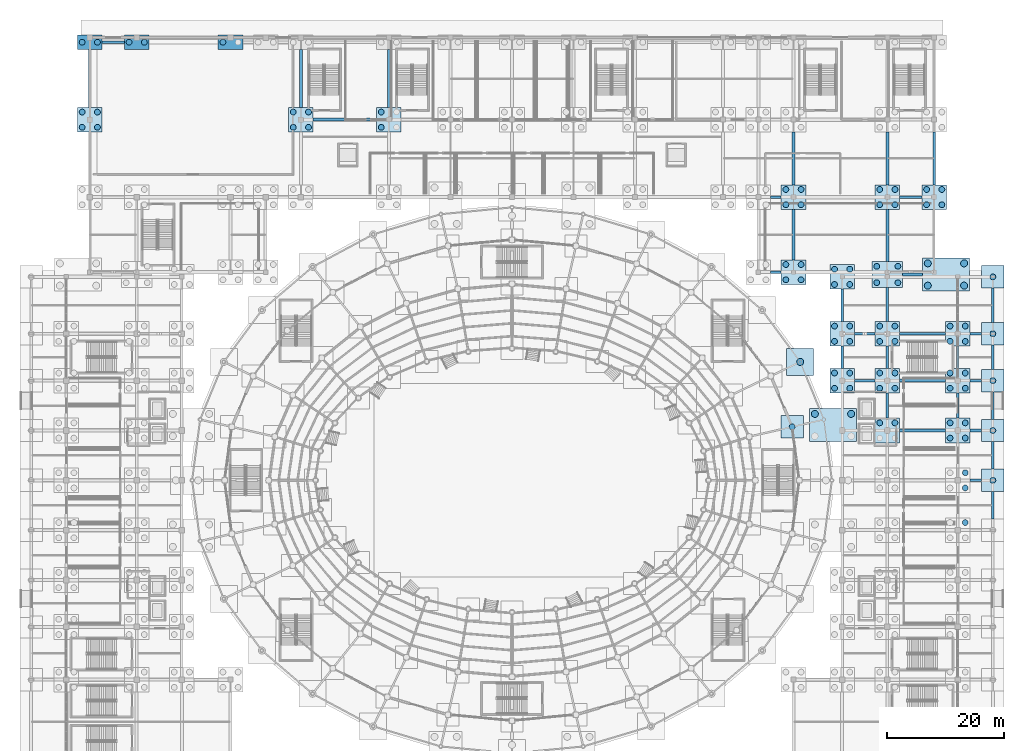
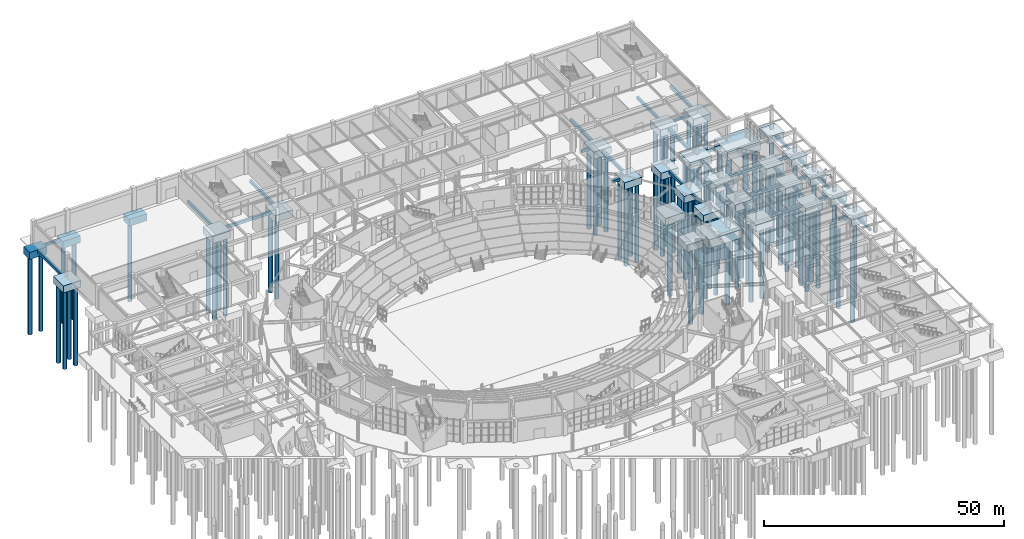
# One storey, part 7 of 121: 85 piles, 64 footings.
"""IFC4 building model written with IfcOpenShell, lengths in metres."""

from ifc_helpers import new_model, si_unit, direction, frame, origin, origin_2d, place, context, subcontext, project, spatial, rectangle, circle, extrude, material, material_profile, profile_set, type_object, element, save


model = new_model("IFC4")

# Units and contexts
model_context = context("Model", 3, precision=1e-05, world=origin(), true_north=direction((0.0, 1.0)))
body_context = subcontext(model_context, "Body", "Model", "MODEL_VIEW")
ifc_project = project(units=[si_unit("LENGTHUNIT", "METRE"), si_unit("AREAUNIT", "SQUARE_METRE"), si_unit("VOLUMEUNIT", "CUBIC_METRE"), si_unit("PLANEANGLEUNIT", "RADIAN"), si_unit("MASSUNIT", "GRAM", prefix="KILO")], contexts=[model_context])

# Site, building, storey
site_placement = place(None, origin())
site = spatial("IfcSite", under=ifc_project, at=site_placement, CompositionType="ELEMENT")
building_placement = place(site_placement, origin())
building = spatial("IfcBuilding", under=site, at=building_placement, Name="Cuetzalor Civic Arena", CompositionType="ELEMENT")
storey_placement = place(building_placement, origin())
storey = spatial("IfcBuildingStorey", under=building, at=storey_placement, Name="L00", CompositionType="ELEMENT", Elevation=0.0)

# Piles
ifc_material_1 = material(Name="Concrete C40/50", Category="concrete")
ifc_material_profile_1 = material_profile(ifc_material_1, circle(Radius=0.5, at=origin_2d()), Name="BORED PILE D1000")
ifc_profile_set_1 = profile_set([ifc_material_profile_1], Name="Concrete C40/50")
pile_type_1 = type_object("IfcPileType", Name="BoredPile_D1000", PredefinedType="BORED", material=ifc_profile_set_1)
for number, where, z_axis, x_axis, name in (
    (1, (77.300048828125, -7.199951171875, -2.050048828125), (0.0, 0.0, -1.0), (1.0, 0.0, 0.0), "Bored Pile 0342"),
    (2, (77.300048828125, -1.300048828125, -2.050048828125), (0.0, 0.0, -1.0), (1.0, 0.0, 0.0), "Bored Pile 0373"),
    (3, (77.300048828125, 1.300048828125, -2.050048828125), (0.0, 0.0, -1.0), (1.0, 0.0, 0.0), "Bored Pile 0374"),
    (4, (82.0, 0.0, -2.050048828125), (0.0, 0.0, -1.0), (1.0, 0.0, 0.0), "Bored Pile 0375"),
    (5, (62.699951171875, 9.800048828125, -2.050048828125), (0.0, 0.0, -1.0), (1.0, 0.0, 0.0), "Bored Pile 0390"),
    (6, (65.300048828125, 9.800048828125, -2.050048828125), (0.0, 0.0, -1.0), (1.0, 0.0, 0.0), "Bored Pile 0392"),
    (7, (74.699951171875, 7.199951171875, -2.050048828125), (0.0, 0.0, -1.0), (1.0, 0.0, 0.0), "Bored Pile 0393"),
    (8, (74.699951171875, 9.800048828125, -2.050048828125), (0.0, 0.0, -1.0), (1.0, 0.0, 0.0), "Bored Pile 0394"),
    (9, (77.300048828125, 7.199951171875, -2.050048828125), (0.0, 0.0, -1.0), (1.0, 0.0, 0.0), "Bored Pile 0395"),
    (10, (77.300048828125, 9.800048828125, -2.050048828125), (0.0, 0.0, -1.0), (1.0, 0.0, 0.0), "Bored Pile 0396"),
    (11, (82.0, 8.5, -2.050048828125), (0.0, 0.0, -1.0), (1.0, 0.0, 0.0), "Bored Pile 0397"),
    (12, (47.771484375, 9.123291015625, -2.050048828125), (0.0, 0.0, -1.0), (1.0, 0.0, 0.0), "Bored Pile 0399"),
    (13, (55.0, 15.699951171875, -2.050048828125), (0.0, 0.0, -1.0), (1.0, 0.0, 0.0), "Bored Pile 0427"),
    (14, (55.0, 18.300048828125, -2.050048828125), (0.0, 0.0, -1.0), (1.0, 0.0, 0.0), "Bored Pile 0428"),
    (15, (57.60009765625, 15.699951171875, -2.050048828125), (0.0, 0.0, -1.0), (1.0, 0.0, 0.0), "Bored Pile 0429"),
    (16, (57.60009765625, 18.300048828125, -2.050048828125), (0.0, 0.0, -1.0), (1.0, 0.0, 0.0), "Bored Pile 0430"),
    (17, (62.699951171875, 15.699951171875, -2.050048828125), (0.0, 0.0, -1.0), (1.0, 0.0, 0.0), "Bored Pile 0431"),
    (18, (62.699951171875, 18.300048828125, -2.050048828125), (0.0, 0.0, -1.0), (1.0, 0.0, 0.0), "Bored Pile 0432"),
    (19, (65.300048828125, 15.699951171875, -2.050048828125), (0.0, 0.0, -1.0), (1.0, 0.0, 0.0), "Bored Pile 0433"),
    (20, (65.300048828125, 18.300048828125, -2.050048828125), (0.0, 0.0, -1.0), (1.0, 0.0, 0.0), "Bored Pile 0434"),
    (21, (74.699951171875, 15.699951171875, -2.050048828125), (0.0, 0.0, -1.0), (1.0, 0.0, 0.0), "Bored Pile 0435"),
    (22, (74.699951171875, 18.300048828125, -2.050048828125), (0.0, 0.0, -1.0), (1.0, 0.0, 0.0), "Bored Pile 0436"),
    (23, (77.300048828125, 15.699951171875, -2.050048828125), (0.0, 0.0, -1.0), (1.0, 0.0, 0.0), "Bored Pile 0437"),
    (24, (77.300048828125, 18.300048828125, -2.050048828125), (0.0, 0.0, -1.0), (1.0, 0.0, 0.0), "Bored Pile 0438"),
    (25, (82.0, 17.0, -2.050048828125), (0.0, 0.0, -1.0), (1.0, 0.0, 0.0), "Bored Pile 0439"),
    (26, (55.0, 23.699951171875, -2.050048828125), (0.0, 0.0, -1.0), (1.0, 0.0, 0.0), "Bored Pile 0466"),
    (27, (55.0, 26.300048828125, -2.050048828125), (0.0, 0.0, -1.0), (1.0, 0.0, 0.0), "Bored Pile 0467"),
    (28, (57.60009765625, 23.699951171875, -2.050048828125), (0.0, 0.0, -1.0), (1.0, 0.0, 0.0), "Bored Pile 0468"),
    (29, (57.60009765625, 26.300048828125, -2.050048828125), (0.0, 0.0, -1.0), (1.0, 0.0, 0.0), "Bored Pile 0469"),
    (30, (62.699951171875, 23.699951171875, -2.050048828125), (0.0, 0.0, -1.0), (1.0, 0.0, 0.0), "Bored Pile 0470"),
    (31, (62.699951171875, 26.300048828125, -2.050048828125), (0.0, 0.0, -1.0), (1.0, 0.0, 0.0), "Bored Pile 0471"),
    (32, (65.300048828125, 23.699951171875, -2.050048828125), (0.0, 0.0, -1.0), (1.0, 0.0, 0.0), "Bored Pile 0472"),
    (33, (65.300048828125, 26.300048828125, -2.050048828125), (0.0, 0.0, -1.0), (1.0, 0.0, 0.0), "Bored Pile 0473"),
    (34, (74.699951171875, 23.699951171875, -2.050048828125), (0.0, 0.0, -1.0), (1.0, 0.0, 0.0), "Bored Pile 0474"),
    (35, (74.699951171875, 26.300048828125, -2.050048828125), (0.0, 0.0, -1.0), (1.0, 0.0, 0.0), "Bored Pile 0475"),
    (36, (77.300048828125, 23.699951171875, -2.050048828125), (0.0, 0.0, -1.0), (1.0, 0.0, 0.0), "Bored Pile 0476"),
    (37, (77.300048828125, 26.300048828125, -2.050048828125), (0.0, 0.0, -1.0), (1.0, 0.0, 0.0), "Bored Pile 0477"),
    (38, (82.0, 25.0, -2.050048828125), (0.0, 0.0, -1.0), (1.0, 0.0, 0.0), "Bored Pile 0478"),
    (39, (55.0, 33.39990234375, -2.050048828125), (0.0, 0.0, -1.0), (1.0, 0.0, 0.0), "Bored Pile 0505"),
    (40, (55.0, 36.0, -2.050048828125), (0.0, 0.0, -1.0), (1.0, 0.0, 0.0), "Bored Pile 0506"),
    (41, (57.60009765625, 33.39990234375, -2.050048828125), (0.0, 0.0, -1.0), (1.0, 0.0, 0.0), "Bored Pile 0507"),
    (42, (57.60009765625, 36.0, -2.050048828125), (0.0, 0.0, -1.0), (1.0, 0.0, 0.0), "Bored Pile 0508"),
):
    element("IfcPile", number, at=place(storey_placement, frame(where, z_axis=z_axis, x_axis=x_axis)), inside=storey, type_object=pile_type_1, Name=name, PredefinedType="BORED", context=body_context, shape_type="SweptSolid", body=[
        extrude(circle(Radius=0.5, at=origin_2d()), origin(), (0.0, 0.0, 1.0), 19.949951171875),
    ])
for number, where, z_axis, x_axis, name in (
    (43, (62.199951171875, 33.699951171875, -2.25), (0.0, 0.0, -1.0), (1.0, 0.0, 0.0), "Bored Pile 0509"),
    (44, (62.199951171875, 36.5, -2.25), (0.0, 0.0, -1.0), (1.0, 0.0, 0.0), "Bored Pile 0510"),
    (45, (65.800048828125, 33.699951171875, -2.25), (0.0, 0.0, -1.0), (1.0, 0.0, 0.0), "Bored Pile 0511"),
    (46, (65.800048828125, 36.5, -2.25), (0.0, 0.0, -1.0), (1.0, 0.0, 0.0), "Bored Pile 0512"),
):
    element("IfcPile", number, at=place(storey_placement, frame(where, z_axis=z_axis, x_axis=x_axis)), inside=storey, type_object=pile_type_1, Name=name, PredefinedType="BORED", context=body_context, shape_type="SweptSolid", body=[
        extrude(circle(Radius=0.5, at=origin_2d()), origin(), (0.0, 0.0, 1.0), 19.75),
    ])
for number, where, z_axis, x_axis, name in (
    (47, (82.0, 34.699951171875, -2.050048828125), (0.0, 0.0, -1.0), (1.0, 0.0, 0.0), "Bored Pile 0517"),
    (48, (46.699951171875, 34.199951171875, -2.050048828125), (0.0, 0.0, -1.0), (1.0, 0.0, 0.0), "Bored Pile 0530"),
    (49, (46.699951171875, 36.800048828125, -2.050048828125), (0.0, 0.0, -1.0), (1.0, 0.0, 0.0), "Bored Pile 0531"),
    (50, (49.300048828125, 34.199951171875, -2.050048828125), (0.0, 0.0, -1.0), (1.0, 0.0, 0.0), "Bored Pile 0532"),
    (51, (49.300048828125, 36.800048828125, -2.050048828125), (0.0, 0.0, -1.0), (1.0, 0.0, 0.0), "Bored Pile 0533"),
    (52, (46.699951171875, 47.0, -2.050048828125), (0.0, 0.0, -1.0), (1.0, 0.0, 0.0), "Bored Pile 0589"),
    (53, (46.699951171875, 49.60009765625, -2.050048828125), (0.0, 0.0, -1.0), (1.0, 0.0, 0.0), "Bored Pile 0590"),
    (54, (49.300048828125, 47.0, -2.050048828125), (0.0, 0.0, -1.0), (1.0, 0.0, 0.0), "Bored Pile 0591"),
    (55, (49.300048828125, 49.60009765625, -2.050048828125), (0.0, 0.0, -1.0), (1.0, 0.0, 0.0), "Bored Pile 0592"),
    (56, (62.699951171875, 47.0, -2.050048828125), (0.0, 0.0, -1.0), (1.0, 0.0, 0.0), "Bored Pile 0593"),
    (57, (62.699951171875, 49.60009765625, -2.050048828125), (0.0, 0.0, -1.0), (1.0, 0.0, 0.0), "Bored Pile 0594"),
    (58, (65.300048828125, 47.0, -2.050048828125), (0.0, 0.0, -1.0), (1.0, 0.0, 0.0), "Bored Pile 0595"),
    (59, (65.300048828125, 49.60009765625, -2.050048828125), (0.0, 0.0, -1.0), (1.0, 0.0, 0.0), "Bored Pile 0596"),
    (60, (70.699951171875, 47.0, -2.050048828125), (0.0, 0.0, -1.0), (1.0, 0.0, 0.0), "Bored Pile 0597"),
    (61, (70.699951171875, 49.60009765625, -2.050048828125), (0.0, 0.0, -1.0), (1.0, 0.0, 0.0), "Bored Pile 0598"),
    (62, (73.300048828125, 47.0, -2.050048828125), (0.0, 0.0, -1.0), (1.0, 0.0, 0.0), "Bored Pile 0599"),
    (63, (73.300048828125, 49.60009765625, -2.050048828125), (0.0, 0.0, -1.0), (1.0, 0.0, 0.0), "Bored Pile 0600"),
    (64, (-73.300048828125, 60.199951171875, -2.050048828125), (0.0, 0.0, -1.0), (1.0, 0.0, 0.0), "Bored Pile 0601"),
    (65, (-73.300048828125, 62.800048828125, -2.050048828125), (0.0, 0.0, -1.0), (1.0, 0.0, 0.0), "Bored Pile 0602"),
    (66, (-70.699951171875, 60.199951171875, -2.050048828125), (0.0, 0.0, -1.0), (1.0, 0.0, 0.0), "Bored Pile 0603"),
    (67, (-70.699951171875, 62.800048828125, -2.050048828125), (0.0, 0.0, -1.0), (1.0, 0.0, 0.0), "Bored Pile 0604"),
    (68, (-37.300048828125, 60.199951171875, -2.050048828125), (0.0, 0.0, -1.0), (1.0, 0.0, 0.0), "Bored Pile 0605"),
    (69, (-37.300048828125, 62.800048828125, -2.050048828125), (0.0, 0.0, -1.0), (1.0, 0.0, 0.0), "Bored Pile 0606"),
    (70, (-34.699951171875, 60.199951171875, -2.050048828125), (0.0, 0.0, -1.0), (1.0, 0.0, 0.0), "Bored Pile 0607"),
    (71, (-34.699951171875, 62.800048828125, -2.050048828125), (0.0, 0.0, -1.0), (1.0, 0.0, 0.0), "Bored Pile 0608"),
    (72, (-22.300048828125, 60.199951171875, -2.050048828125), (0.0, 0.0, -1.0), (1.0, 0.0, 0.0), "Bored Pile 0609"),
    (73, (-22.300048828125, 62.800048828125, -2.050048828125), (0.0, 0.0, -1.0), (1.0, 0.0, 0.0), "Bored Pile 0610"),
    (74, (-73.300048828125, 74.699951171875, -2.050048828125), (0.0, 0.0, -1.0), (1.0, 0.0, 0.0), "Bored Pile 0649"),
    (75, (-70.699951171875, 74.699951171875, -2.050048828125), (0.0, 0.0, -1.0), (1.0, 0.0, 0.0), "Bored Pile 0650"),
    (76, (-65.300048828125, 74.699951171875, -2.050048828125), (0.0, 0.0, -1.0), (1.0, 0.0, 0.0), "Bored Pile 0651"),
    (77, (-62.699951171875, 74.699951171875, -2.050048828125), (0.0, 0.0, -1.0), (1.0, 0.0, 0.0), "Bored Pile 0652"),
    (78, (-49.300048828125, 74.699951171875, -2.050048828125), (0.0, 0.0, -1.0), (1.0, 0.0, 0.0), "Bored Pile 0653"),
):
    element("IfcPile", number, at=place(storey_placement, frame(where, z_axis=z_axis, x_axis=x_axis)), inside=storey, type_object=pile_type_1, Name=name, PredefinedType="BORED", context=body_context, shape_type="SweptSolid", body=[
        extrude(circle(Radius=0.5, at=origin_2d()), origin(), (0.0, 0.0, 1.0), 19.949951171875),
    ])
ifc_material_2 = material(Name="Concrete C40/50", Category="concrete")
ifc_material_profile_2 = material_profile(ifc_material_2, circle(Radius=0.60009765625, at=origin_2d()), Name="BORED PILE D1200")
ifc_profile_set_2 = profile_set([ifc_material_profile_2], Name="Concrete C40/50")
pile_type_2 = type_object("IfcPileType", Name="BoredPile_D1200", PredefinedType="BORED", material=ifc_profile_set_2)
for number, where, z_axis, x_axis, name in (
    (79, (51.64111328125, 11.3291015625, -2.449951171875), (0.0, 0.0, -1.0), (1.0, 0.0, 0.0), "Bored Pile 0407"),
    (80, (57.841064453125, 11.3291015625, -2.449951171875), (0.0, 0.0, -1.0), (1.0, 0.0, 0.0), "Bored Pile 0409"),
):
    element("IfcPile", number, at=place(storey_placement, frame(where, z_axis=z_axis, x_axis=x_axis)), inside=storey, type_object=pile_type_2, Name=name, PredefinedType="BORED", context=body_context, shape_type="SweptSolid", body=[
        extrude(circle(Radius=0.60009765625, at=origin_2d()), origin(), (0.0, 0.0, 1.0), 19.550048828125),
    ])
pile_placement = place(storey_placement, frame((49.14794921875, 20.197265625, -2.050048828125), z_axis=(0.0, 0.0, -1.0), x_axis=(1.0, 0.0, 0.0)))
element("IfcPile", 81, at=pile_placement, inside=storey, type_object=pile_type_2, Name="Bored Pile 0445", PredefinedType="BORED", context=body_context, shape_type="SweptSolid", body=[
    extrude(circle(Radius=0.60009765625, at=origin_2d()), origin(), (0.0, 0.0, 1.0), 19.949951171875),
])
for number, where, z_axis, x_axis, name in (
    (82, (70.89990234375, 33.199951171875, -2.449951171875), (0.0, 0.0, -1.0), (1.0, 0.0, 0.0), "Bored Pile 0513"),
    (83, (70.89990234375, 37.0, -2.449951171875), (0.0, 0.0, -1.0), (1.0, 0.0, 0.0), "Bored Pile 0514"),
    (84, (77.10009765625, 33.199951171875, -2.449951171875), (0.0, 0.0, -1.0), (1.0, 0.0, 0.0), "Bored Pile 0515"),
    (85, (77.10009765625, 37.0, -2.449951171875), (0.0, 0.0, -1.0), (1.0, 0.0, 0.0), "Bored Pile 0516"),
):
    element("IfcPile", number, at=place(storey_placement, frame(where, z_axis=z_axis, x_axis=x_axis)), inside=storey, type_object=pile_type_2, Name=name, PredefinedType="BORED", context=body_context, shape_type="SweptSolid", body=[
        extrude(circle(Radius=0.60009765625, at=origin_2d()), origin(), (0.0, 0.0, 1.0), 19.550048828125),
    ])

# Footings
ifc_material_3 = material(Name="Concrete C40/50", Category="concrete")
footing_type_1 = type_object("IfcFootingType", Name="CombinedPileCap_A", PredefinedType="PILE_CAP", material=ifc_material_3)
for number, where, z_axis, x_axis, name in (
    (86, (64.0, 8.5, -2.14990234375), (0.0, 0.0, 1.0), (1.0, 0.0, 0.0), "Combined Pile Cap 158"),
    (87, (76.0, 8.5, -2.14990234375), (0.0, 0.0, 1.0), (1.0, 0.0, 0.0), "Combined Pile Cap 159"),
    (88, (56.300048828125, 17.0, -2.14990234375), (0.0, 0.0, 1.0), (1.0, 0.0, 0.0), "Combined Pile Cap 175"),
    (89, (64.0, 17.0, -2.14990234375), (0.0, 0.0, 1.0), (1.0, 0.0, 0.0), "Combined Pile Cap 176"),
    (90, (76.0, 17.0, -2.14990234375), (0.0, 0.0, 1.0), (1.0, 0.0, 0.0), "Combined Pile Cap 177"),
    (91, (56.300048828125, 25.0, -2.14990234375), (0.0, 0.0, 1.0), (1.0, 0.0, 0.0), "Combined Pile Cap 196"),
    (92, (64.0, 25.0, -2.14990234375), (0.0, 0.0, 1.0), (1.0, 0.0, 0.0), "Combined Pile Cap 197"),
    (93, (76.0, 25.0, -2.14990234375), (0.0, 0.0, 1.0), (1.0, 0.0, 0.0), "Combined Pile Cap 198"),
    (94, (56.300048828125, 34.699951171875, -2.14990234375), (0.0, 0.0, 1.0), (1.0, 0.0, 0.0), "Combined Pile Cap 217"),
    (95, (48.0, 35.5, -2.14990234375), (0.0, 0.0, 1.0), (1.0, 0.0, 0.0), "Combined Pile Cap 224"),
    (96, (48.0, 48.300048828125, -2.14990234375), (0.0, 0.0, 1.0), (1.0, 0.0, 0.0), "Combined Pile Cap 246"),
    (97, (64.0, 48.300048828125, -2.14990234375), (0.0, 0.0, 1.0), (1.0, 0.0, 0.0), "Combined Pile Cap 247"),
    (98, (72.0, 48.300048828125, -2.14990234375), (0.0, 0.0, 1.0), (1.0, 0.0, 0.0), "Combined Pile Cap 248"),
    (99, (-72.0, 61.5, -2.14990234375), (0.0, 0.0, 1.0), (1.0, 0.0, 0.0), "Combined Pile Cap 249"),
    (100, (-36.0, 61.5, -2.14990234375), (0.0, 0.0, 1.0), (1.0, 0.0, 0.0), "Combined Pile Cap 250"),
    (101, (-21.0, 61.5, -2.14990234375), (0.0, 0.0, 1.0), (1.0, 0.0, 0.0), "Combined Pile Cap 251"),
):
    element("IfcFooting", number, at=place(storey_placement, frame(where, z_axis=z_axis, x_axis=x_axis)), inside=storey, type_object=footing_type_1, Name=name, PredefinedType="PILE_CAP", context=body_context, shape_type="SweptSolid", body=[
        extrude(rectangle(XDim=4.199951171875, YDim=4.199951171875, at=origin_2d()), origin(), (0.0, 0.0, 1.0), 1.800048828125),
    ])
ifc_material_4 = material(Name="Concrete C40/50", Category="concrete")
footing_type_2 = type_object("IfcFootingType", Name="CombinedPileCap_B", PredefinedType="PILE_CAP", material=ifc_material_4)
footing_1_placement = place(storey_placement, frame((49.14794921875, 20.197265625, -2.14990234375), z_axis=(0.0, 0.0, 1.0), x_axis=(1.0, 0.0, 0.0)))
element("IfcFooting", 102, at=footing_1_placement, inside=storey, type_object=footing_type_2, Name="Combined Pile Cap 184", PredefinedType="PILE_CAP", context=body_context, shape_type="SweptSolid", body=[
    extrude(rectangle(XDim=4.60009765625, YDim=4.60009765625, at=origin_2d()), origin(), (0.0, 0.0, 1.0), 1.800048828125),
])
ifc_material_5 = material(Name="Concrete C40/50", Category="concrete")
footing_type_3 = type_object("IfcFootingType", Name="CombinedPileCap_C", PredefinedType="PILE_CAP", material=ifc_material_5)
footing_2_placement = place(storey_placement, frame((64.0, 35.10009765625, -2.35009765625), z_axis=(0.0, 0.0, 1.0), x_axis=(1.0, 0.0, 0.0)))
element("IfcFooting", 103, at=footing_2_placement, inside=storey, type_object=footing_type_3, Name="Combined Pile Cap 218", PredefinedType="PILE_CAP", context=body_context, shape_type="SweptSolid", body=[
    extrude(rectangle(XDim=5.199951171875, YDim=4.39990234375, at=origin_2d()), origin(), (0.0, 0.0, 1.0), 2.0),
])
ifc_material_6 = material(Name="Concrete C40/50", Category="concrete")
footing_type_4 = type_object("IfcFootingType", Name="CombinedPileCap_J", PredefinedType="PILE_CAP", material=ifc_material_6)
for number, where, z_axis, x_axis, name in (
    (104, (54.7412109375, 9.42919921875, -2.5498046875), (0.0, 0.0, 1.0), (1.0, 0.0, 0.0), "Combined Pile Cap 166"),
    (105, (74.0, 35.10009765625, -2.5498046875), (0.0, 0.0, 1.0), (1.0, 0.0, 0.0), "Combined Pile Cap 219"),
):
    element("IfcFooting", number, at=place(storey_placement, frame(where, z_axis=z_axis, x_axis=x_axis)), inside=storey, type_object=footing_type_4, Name=name, PredefinedType="PILE_CAP", context=body_context, shape_type="SweptSolid", body=[
        extrude(rectangle(XDim=8.0, YDim=5.60009765625, at=origin_2d()), origin(), (0.0, 0.0, 1.0), 2.199951171875),
    ])
ifc_material_7 = material(Name="Concrete C40/50", Category="concrete")
footing_type_5 = type_object("IfcFootingType", Name="CombinedPileCap_M", PredefinedType="PILE_CAP", material=ifc_material_7)
for number, where, z_axis, x_axis, name in (
    (106, (82.0, 0.0, -2.14990234375), (0.0, 0.0, 1.0), (1.0, 0.0, 0.0), "Combined Pile Cap 150"),
    (107, (82.0, 8.5, -2.14990234375), (0.0, 0.0, 1.0), (1.0, 0.0, 0.0), "Combined Pile Cap 160"),
    (108, (47.771484375, 9.123291015625, -2.14990234375), (0.0, 0.0, 1.0), (1.0, 0.0, 0.0), "Combined Pile Cap 162"),
    (109, (82.0, 17.0, -2.14990234375), (0.0, 0.0, 1.0), (1.0, 0.0, 0.0), "Combined Pile Cap 178"),
    (110, (82.0, 25.0, -2.14990234375), (0.0, 0.0, 1.0), (1.0, 0.0, 0.0), "Combined Pile Cap 199"),
    (111, (82.0, 34.699951171875, -2.14990234375), (0.0, 0.0, 1.0), (1.0, 0.0, 0.0), "Combined Pile Cap 220"),
):
    element("IfcFooting", number, at=place(storey_placement, frame(where, z_axis=z_axis, x_axis=x_axis)), inside=storey, type_object=footing_type_5, Name=name, PredefinedType="PILE_CAP", context=body_context, shape_type="SweptSolid", body=[
        extrude(rectangle(XDim=3.800048828125, YDim=3.800048828125, at=origin_2d()), origin(), (0.0, 0.0, 1.0), 1.800048828125),
    ])
ifc_material_8 = material(Name="Concrete C40/50", Category="concrete")
ifc_material_profile_3 = material_profile(ifc_material_8, rectangle(XDim=0.449951171875, YDim=0.64990234375, at=origin_2d()), Name="RC 450x650")
ifc_profile_set_3 = profile_set([ifc_material_profile_3], Name="Concrete C40/50")
footing_type_6 = type_object("IfcFootingType", Name="GroundTieBeam_450x650", PredefinedType="FOOTING_BEAM", material=ifc_profile_set_3)
footing_3_placement = place(storey_placement, frame((82.0, -6.60009765625, -0.675048828125), z_axis=(0.0, 1.0, 0.0), x_axis=(-1.0, 0.0, 0.0)))
element("IfcFooting", 112, at=footing_3_placement, inside=storey, type_object=footing_type_6, Name="Ground Tie Beam 144", PredefinedType="FOOTING_BEAM", context=body_context, shape_type="SweptSolid", body=[
    extrude(rectangle(XDim=0.449951171875, YDim=0.64990234375, at=origin_2d()), origin(), (0.0, 0.0, 1.0), 4.7001953125),
])
footing_4_placement = place(storey_placement, frame((78.10009765625, 0.0, -0.675048828125), z_axis=(1.0, 0.0, 0.0), x_axis=(0.0, 1.0, 0.0)))
element("IfcFooting", 113, at=footing_4_placement, inside=storey, type_object=footing_type_6, Name="Ground Tie Beam 160", PredefinedType="FOOTING_BEAM", context=body_context, shape_type="SweptSolid", body=[
    extrude(rectangle(XDim=0.449951171875, YDim=0.64990234375, at=origin_2d()), origin(), (0.0, 0.0, 1.0), 2.0),
])
footing_5_placement = place(storey_placement, frame((82.0, 1.89990234375, -0.675048828125), z_axis=(0.0, 1.0, 0.0), x_axis=(-1.0, 0.0, 0.0)))
element("IfcFooting", 114, at=footing_5_placement, inside=storey, type_object=footing_type_6, Name="Ground Tie Beam 162", PredefinedType="FOOTING_BEAM", context=body_context, shape_type="SweptSolid", body=[
    extrude(rectangle(XDim=0.449951171875, YDim=0.64990234375, at=origin_2d()), origin(), (0.0, 0.0, 1.0), 4.7001953125),
])
footing_6_placement = place(storey_placement, frame((64.0, 10.60009765625, -0.675048828125), z_axis=(0.0, 1.0, 0.0), x_axis=(-1.0, 0.0, 0.0)))
element("IfcFooting", 115, at=footing_6_placement, inside=storey, type_object=footing_type_6, Name="Ground Tie Beam 169", PredefinedType="FOOTING_BEAM", context=body_context, shape_type="SweptSolid", body=[
    extrude(rectangle(XDim=0.449951171875, YDim=0.64990234375, at=origin_2d()), origin(), (0.0, 0.0, 1.0), 4.2998046875),
])
footing_7_placement = place(storey_placement, frame((78.10009765625, 8.5, -0.675048828125), z_axis=(1.0, 0.0, 0.0), x_axis=(0.0, 1.0, 0.0)))
element("IfcFooting", 116, at=footing_7_placement, inside=storey, type_object=footing_type_6, Name="Ground Tie Beam 170", PredefinedType="FOOTING_BEAM", context=body_context, shape_type="SweptSolid", body=[
    extrude(rectangle(XDim=0.449951171875, YDim=0.64990234375, at=origin_2d()), origin(), (0.0, 0.0, 1.0), 2.0),
])
footing_8_placement = place(storey_placement, frame((76.0, 10.60009765625, -0.675048828125), z_axis=(0.0, 1.0, 0.0), x_axis=(-1.0, 0.0, 0.0)))
element("IfcFooting", 117, at=footing_8_placement, inside=storey, type_object=footing_type_6, Name="Ground Tie Beam 171", PredefinedType="FOOTING_BEAM", context=body_context, shape_type="SweptSolid", body=[
    extrude(rectangle(XDim=0.449951171875, YDim=0.64990234375, at=origin_2d()), origin(), (0.0, 0.0, 1.0), 4.2998046875),
])
footing_9_placement = place(storey_placement, frame((82.0, 10.39990234375, -0.675048828125), z_axis=(0.0, 1.0, 0.0), x_axis=(-1.0, 0.0, 0.0)))
element("IfcFooting", 118, at=footing_9_placement, inside=storey, type_object=footing_type_6, Name="Ground Tie Beam 172", PredefinedType="FOOTING_BEAM", context=body_context, shape_type="SweptSolid", body=[
    extrude(rectangle(XDim=0.449951171875, YDim=0.64990234375, at=origin_2d()), origin(), (0.0, 0.0, 1.0), 4.7001953125),
])
footing_10_placement = place(storey_placement, frame((58.39990234375, 17.0, -0.675048828125), z_axis=(1.0, 0.0, 0.0), x_axis=(0.0, 1.0, 0.0)))
element("IfcFooting", 119, at=footing_10_placement, inside=storey, type_object=footing_type_6, Name="Ground Tie Beam 180", PredefinedType="FOOTING_BEAM", context=body_context, shape_type="SweptSolid", body=[
    extrude(rectangle(XDim=0.449951171875, YDim=0.64990234375, at=origin_2d()), origin(), (0.0, 0.0, 1.0), 3.5),
])
for number, where, z_axis, x_axis, name in (
    (120, (56.300048828125, 19.10009765625, -0.675048828125), (0.0, 1.0, 0.0), (-1.0, 0.0, 0.0), "Ground Tie Beam 181"),
    (121, (64.0, 19.10009765625, -0.675048828125), (0.0, 1.0, 0.0), (-1.0, 0.0, 0.0), "Ground Tie Beam 183"),
):
    element("IfcFooting", number, at=place(storey_placement, frame(where, z_axis=z_axis, x_axis=x_axis)), inside=storey, type_object=footing_type_6, Name=name, PredefinedType="FOOTING_BEAM", context=body_context, shape_type="SweptSolid", body=[
        extrude(rectangle(XDim=0.449951171875, YDim=0.64990234375, at=origin_2d()), origin(), (0.0, 0.0, 1.0), 3.7998046875),
    ])
footing_11_placement = place(storey_placement, frame((78.10009765625, 17.0, -0.675048828125), z_axis=(1.0, 0.0, 0.0), x_axis=(0.0, 1.0, 0.0)))
element("IfcFooting", 122, at=footing_11_placement, inside=storey, type_object=footing_type_6, Name="Ground Tie Beam 184", PredefinedType="FOOTING_BEAM", context=body_context, shape_type="SweptSolid", body=[
    extrude(rectangle(XDim=0.449951171875, YDim=0.64990234375, at=origin_2d()), origin(), (0.0, 0.0, 1.0), 2.0),
])
footing_12_placement = place(storey_placement, frame((76.0, 19.10009765625, -0.675048828125), z_axis=(0.0, 1.0, 0.0), x_axis=(-1.0, 0.0, 0.0)))
element("IfcFooting", 123, at=footing_12_placement, inside=storey, type_object=footing_type_6, Name="Ground Tie Beam 185", PredefinedType="FOOTING_BEAM", context=body_context, shape_type="SweptSolid", body=[
    extrude(rectangle(XDim=0.449951171875, YDim=0.64990234375, at=origin_2d()), origin(), (0.0, 0.0, 1.0), 3.7998046875),
])
footing_13_placement = place(storey_placement, frame((82.0, 18.89990234375, -0.675048828125), z_axis=(0.0, 1.0, 0.0), x_axis=(-1.0, 0.0, 0.0)))
element("IfcFooting", 124, at=footing_13_placement, inside=storey, type_object=footing_type_6, Name="Ground Tie Beam 186", PredefinedType="FOOTING_BEAM", context=body_context, shape_type="SweptSolid", body=[
    extrude(rectangle(XDim=0.449951171875, YDim=0.64990234375, at=origin_2d()), origin(), (0.0, 0.0, 1.0), 4.2001953125),
])
footing_14_placement = place(storey_placement, frame((58.39990234375, 25.0, -0.675048828125), z_axis=(1.0, 0.0, 0.0), x_axis=(0.0, 1.0, 0.0)))
element("IfcFooting", 125, at=footing_14_placement, inside=storey, type_object=footing_type_6, Name="Ground Tie Beam 194", PredefinedType="FOOTING_BEAM", context=body_context, shape_type="SweptSolid", body=[
    extrude(rectangle(XDim=0.449951171875, YDim=0.64990234375, at=origin_2d()), origin(), (0.0, 0.0, 1.0), 3.5),
])
footing_15_placement = place(storey_placement, frame((56.300048828125, 27.10009765625, -0.675048828125), z_axis=(0.0, 1.0, 0.0), x_axis=(-1.0, 0.0, 0.0)))
element("IfcFooting", 126, at=footing_15_placement, inside=storey, type_object=footing_type_6, Name="Ground Tie Beam 195", PredefinedType="FOOTING_BEAM", context=body_context, shape_type="SweptSolid", body=[
    extrude(rectangle(XDim=0.449951171875, YDim=0.64990234375, at=origin_2d()), origin(), (0.0, 0.0, 1.0), 5.5),
])
footing_16_placement = place(storey_placement, frame((64.0, 27.10009765625, -0.675048828125), z_axis=(0.0, 1.0, 0.0), x_axis=(-1.0, 0.0, 0.0)))
element("IfcFooting", 127, at=footing_16_placement, inside=storey, type_object=footing_type_6, Name="Ground Tie Beam 197", PredefinedType="FOOTING_BEAM", context=body_context, shape_type="SweptSolid", body=[
    extrude(rectangle(XDim=0.449951171875, YDim=0.64990234375, at=origin_2d()), origin(), (0.0, 0.0, 1.0), 5.7998046875),
])
footing_17_placement = place(storey_placement, frame((78.10009765625, 25.0, -0.675048828125), z_axis=(1.0, 0.0, 0.0), x_axis=(0.0, 1.0, 0.0)))
element("IfcFooting", 128, at=footing_17_placement, inside=storey, type_object=footing_type_6, Name="Ground Tie Beam 198", PredefinedType="FOOTING_BEAM", context=body_context, shape_type="SweptSolid", body=[
    extrude(rectangle(XDim=0.449951171875, YDim=0.64990234375, at=origin_2d()), origin(), (0.0, 0.0, 1.0), 2.0),
])
footing_18_placement = place(storey_placement, frame((82.0, 26.89990234375, -0.675048828125), z_axis=(0.0, 1.0, 0.0), x_axis=(-1.0, 0.0, 0.0)))
element("IfcFooting", 129, at=footing_18_placement, inside=storey, type_object=footing_type_6, Name="Ground Tie Beam 199", PredefinedType="FOOTING_BEAM", context=body_context, shape_type="SweptSolid", body=[
    extrude(rectangle(XDim=0.449951171875, YDim=0.64990234375, at=origin_2d()), origin(), (0.0, 0.0, 1.0), 5.900146484375),
])
footing_19_placement = place(storey_placement, frame((66.60009765625, 35.10009765625, -0.675048828125), z_axis=(1.0, 0.0, 0.0), x_axis=(0.0, 1.0, 0.0)))
element("IfcFooting", 130, at=footing_19_placement, inside=storey, type_object=footing_type_6, Name="Ground Tie Beam 203", PredefinedType="FOOTING_BEAM", context=body_context, shape_type="SweptSolid", body=[
    extrude(rectangle(XDim=0.449951171875, YDim=0.64990234375, at=origin_2d()), origin(), (0.0, 0.0, 1.0), 3.39990234375),
])
for number, where, z_axis, x_axis, name in (
    (131, (44.10009765625, 35.5, -0.675048828125), (1.0, 0.0, 0.0), (0.0, 1.0, 0.0), "Ground Tie Beam 208"),
    (132, (44.10009765625, 48.300048828125, -0.675048828125), (1.0, 0.0, 0.0), (0.0, 1.0, 0.0), "Ground Tie Beam 224"),
):
    element("IfcFooting", number, at=place(storey_placement, frame(where, z_axis=z_axis, x_axis=x_axis)), inside=storey, type_object=footing_type_6, Name=name, PredefinedType="FOOTING_BEAM", context=body_context, shape_type="SweptSolid", body=[
        extrude(rectangle(XDim=0.449951171875, YDim=0.64990234375, at=origin_2d()), origin(), (0.0, 0.0, 1.0), 1.7998046875),
    ])
for number, where, z_axis, x_axis, name in (
    (133, (66.10009765625, 48.300048828125, -0.675048828125), (1.0, 0.0, 0.0), (0.0, 1.0, 0.0), "Ground Tie Beam 227"),
    (134, (-69.89990234375, 74.699951171875, -0.675048828125), (1.0, 0.0, 0.0), (0.0, 1.0, 0.0), "Ground Tie Beam 251"),
):
    element("IfcFooting", number, at=place(storey_placement, frame(where, z_axis=z_axis, x_axis=x_axis)), inside=storey, type_object=footing_type_6, Name=name, PredefinedType="FOOTING_BEAM", context=body_context, shape_type="SweptSolid", body=[
        extrude(rectangle(XDim=0.449951171875, YDim=0.64990234375, at=origin_2d()), origin(), (0.0, 0.0, 1.0), 3.7998046875),
    ])
ifc_material_9 = material(Name="Concrete C40/50", Category="concrete")
ifc_material_profile_4 = material_profile(ifc_material_9, rectangle(XDim=0.5, YDim=0.75, at=origin_2d()), Name="RC 500x750")
ifc_profile_set_4 = profile_set([ifc_material_profile_4], Name="Concrete C40/50")
footing_type_7 = type_object("IfcFootingType", Name="GroundTieBeam_500x750", PredefinedType="FOOTING_BEAM", material=ifc_profile_set_4)
for number, where, z_axis, x_axis, name in (
    (135, (66.10009765625, 8.5, -0.72509765625), (1.0, 0.0, 0.0), (0.0, 1.0, 0.0), "Ground Tie Beam 168"),
    (136, (66.10009765625, 17.0, -0.72509765625), (1.0, 0.0, 0.0), (0.0, 1.0, 0.0), "Ground Tie Beam 182"),
    (137, (66.10009765625, 25.0, -0.72509765625), (1.0, 0.0, 0.0), (0.0, 1.0, 0.0), "Ground Tie Beam 196"),
):
    element("IfcFooting", number, at=place(storey_placement, frame(where, z_axis=z_axis, x_axis=x_axis)), inside=storey, type_object=footing_type_7, Name=name, PredefinedType="FOOTING_BEAM", context=body_context, shape_type="SweptSolid", body=[
        extrude(rectangle(XDim=0.5, YDim=0.75, at=origin_2d()), origin(), (0.0, 0.0, 1.0), 7.7998046875),
    ])
footing_20_placement = place(storey_placement, frame((64.0, 37.300048828125, -0.72509765625), z_axis=(0.0, 1.0, 0.0), x_axis=(-1.0, 0.0, 0.0)))
element("IfcFooting", 138, at=footing_20_placement, inside=storey, type_object=footing_type_7, Name="Ground Tie Beam 204", PredefinedType="FOOTING_BEAM", context=body_context, shape_type="SweptSolid", body=[
    extrude(rectangle(XDim=0.5, YDim=0.75, at=origin_2d()), origin(), (0.0, 0.0, 1.0), 8.89990234375),
])
footing_21_placement = place(storey_placement, frame((48.0, 37.60009765625, -0.72509765625), z_axis=(0.0, 1.0, 0.0), x_axis=(-1.0, 0.0, 0.0)))
element("IfcFooting", 139, at=footing_21_placement, inside=storey, type_object=footing_type_7, Name="Ground Tie Beam 210", PredefinedType="FOOTING_BEAM", context=body_context, shape_type="SweptSolid", body=[
    extrude(rectangle(XDim=0.5, YDim=0.75, at=origin_2d()), origin(), (0.0, 0.0, 1.0), 8.599853515625),
])
for number, where, z_axis, x_axis, name in (
    (140, (48.0, 50.39990234375, -0.72509765625), (0.0, 1.0, 0.0), (-1.0, 0.0, 0.0), "Ground Tie Beam 226"),
    (141, (64.0, 50.39990234375, -0.72509765625), (0.0, 1.0, 0.0), (-1.0, 0.0, 0.0), "Ground Tie Beam 228"),
    (142, (72.0, 50.39990234375, -0.72509765625), (0.0, 1.0, 0.0), (-1.0, 0.0, 0.0), "Ground Tie Beam 229"),
):
    element("IfcFooting", number, at=place(storey_placement, frame(where, z_axis=z_axis, x_axis=x_axis)), inside=storey, type_object=footing_type_7, Name=name, PredefinedType="FOOTING_BEAM", context=body_context, shape_type="SweptSolid", body=[
        extrude(rectangle(XDim=0.5, YDim=0.75, at=origin_2d()), origin(), (0.0, 0.0, 1.0), 9.0),
    ])
footing_22_placement = place(storey_placement, frame((-72.0, 63.60009765625, -0.72509765625), z_axis=(0.0, 1.0, 0.0), x_axis=(-1.0, 0.0, 0.0)))
element("IfcFooting", 143, at=footing_22_placement, inside=storey, type_object=footing_type_7, Name="Ground Tie Beam 230", PredefinedType="FOOTING_BEAM", context=body_context, shape_type="SweptSolid", body=[
    extrude(rectangle(XDim=0.5, YDim=0.75, at=origin_2d()), origin(), (0.0, 0.0, 1.0), 9.849853515625),
])
footing_23_placement = place(storey_placement, frame((-33.89990234375, 61.5, -0.72509765625), z_axis=(1.0, 0.0, 0.0), x_axis=(0.0, 1.0, 0.0)))
element("IfcFooting", 144, at=footing_23_placement, inside=storey, type_object=footing_type_7, Name="Ground Tie Beam 231", PredefinedType="FOOTING_BEAM", context=body_context, shape_type="SweptSolid", body=[
    extrude(rectangle(XDim=0.5, YDim=0.75, at=origin_2d()), origin(), (0.0, 0.0, 1.0), 10.7998046875),
])
for number, where, z_axis, x_axis, name in (
    (145, (-36.0, 63.60009765625, -0.72509765625), (0.0, 1.0, 0.0), (-1.0, 0.0, 0.0), "Ground Tie Beam 232"),
    (146, (-21.0, 63.60009765625, -0.72509765625), (0.0, 1.0, 0.0), (-1.0, 0.0, 0.0), "Ground Tie Beam 234"),
):
    element("IfcFooting", number, at=place(storey_placement, frame(where, z_axis=z_axis, x_axis=x_axis)), inside=storey, type_object=footing_type_7, Name=name, PredefinedType="FOOTING_BEAM", context=body_context, shape_type="SweptSolid", body=[
        extrude(rectangle(XDim=0.5, YDim=0.75, at=origin_2d()), origin(), (0.0, 0.0, 1.0), 9.849853515625),
    ])
ifc_material_10 = material(Name="Concrete C40/50", Category="concrete")
footing_type_8 = type_object("IfcFootingType", Name="PerimeterEdgePileCap_2P", PredefinedType="PILE_CAP", material=ifc_material_10)
for number, where, z_axis, x_axis, name in (
    (147, (-72.0, 74.699951171875, -2.14990234375), (0.0, 0.0, 1.0), (1.0, 0.0, 0.0), "Combined Pile Cap 261"),
    (148, (-64.0, 74.699951171875, -2.14990234375), (0.0, 0.0, 1.0), (1.0, 0.0, 0.0), "Combined Pile Cap 262"),
    (149, (-48.0, 74.699951171875, -2.14990234375), (0.0, 0.0, 1.0), (1.0, 0.0, 0.0), "Combined Pile Cap 263"),
):
    element("IfcFooting", number, at=place(storey_placement, frame(where, z_axis=z_axis, x_axis=x_axis)), inside=storey, type_object=footing_type_8, Name=name, PredefinedType="PILE_CAP", context=body_context, shape_type="SweptSolid", body=[
        extrude(rectangle(XDim=4.199951171875, YDim=2.5, at=origin_2d()), origin(), (0.0, 0.0, 1.0), 1.800048828125),
    ])

save(model, "model.ifc")
